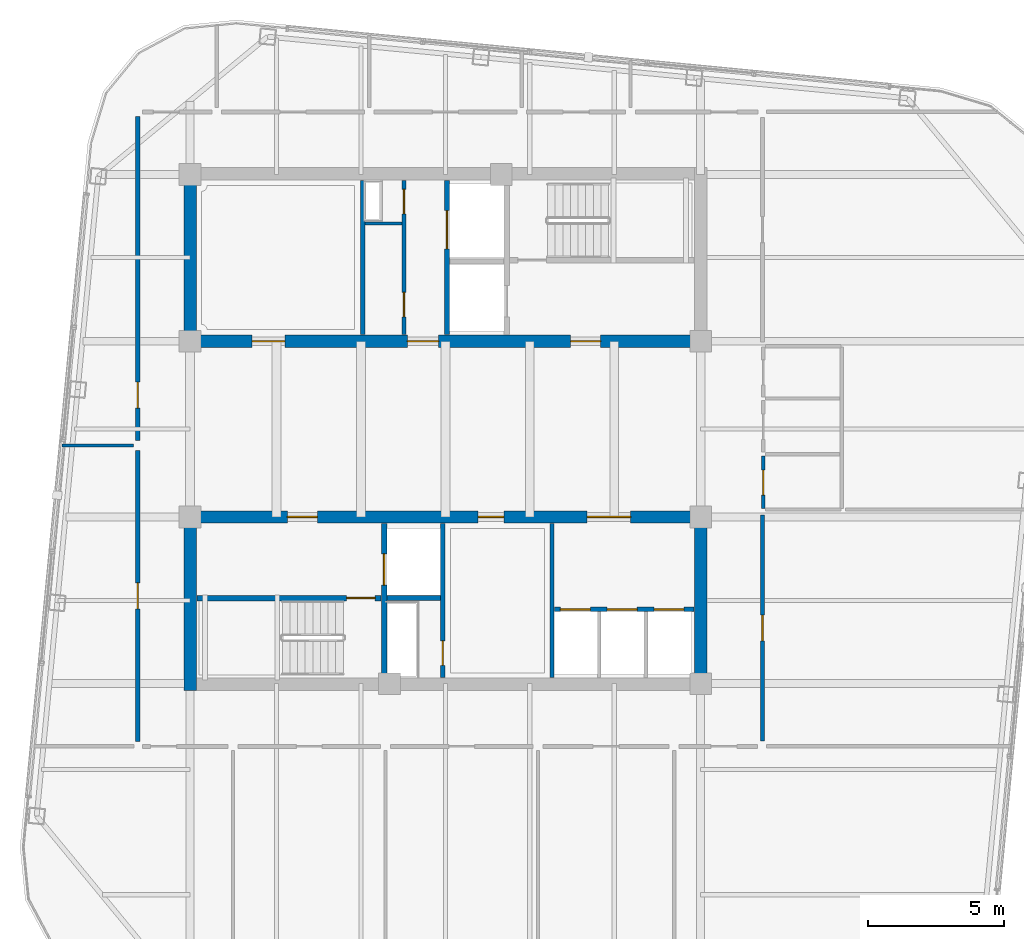
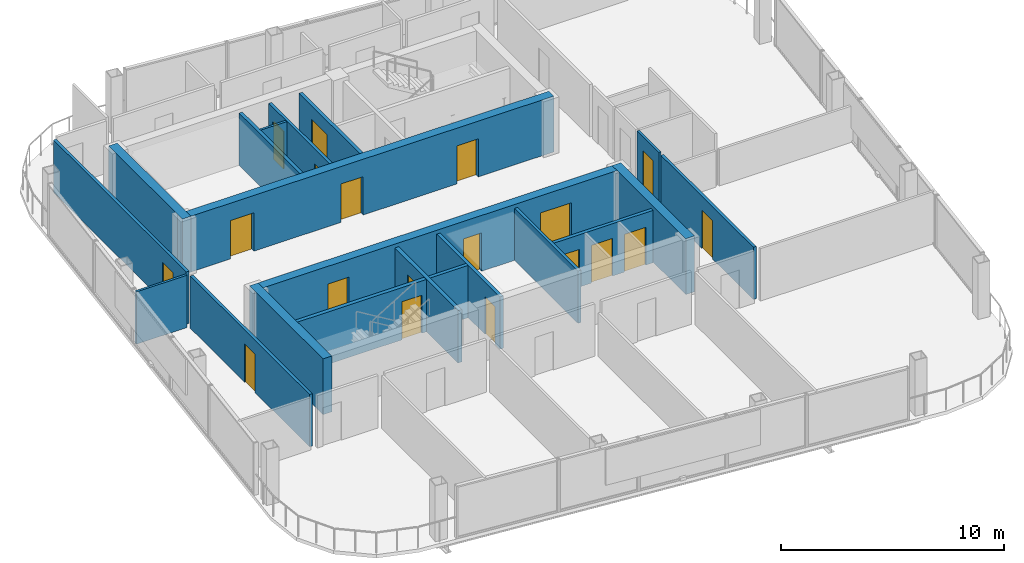
# One storey, part 17 of 22: 20 walls, 19 doors, 19 openings.
"""IFC4 building model written with IfcOpenShell, lengths in metres."""

from ifc_helpers import new_model, si_unit, direction, frame, frame_2d, origin, place, context, subcontext, project, spatial, rectangle, extrude, material, layer, layer_set, type_object, element, fill, save


model = new_model("IFC4")

# Units and contexts
model_context = context("Model", 3, precision=1e-05, world=origin(), true_north=direction((0.0, 1.0)))
body_context = subcontext(model_context, "Body", "Model", "MODEL_VIEW")
ifc_project = project(units=[si_unit("LENGTHUNIT", "METRE"), si_unit("AREAUNIT", "SQUARE_METRE"), si_unit("VOLUMEUNIT", "CUBIC_METRE"), si_unit("PLANEANGLEUNIT", "RADIAN"), si_unit("MASSUNIT", "GRAM", prefix="KILO")], contexts=[model_context])

# Site, building, storey
site_placement = place(None, origin())
site = spatial("IfcSite", under=ifc_project, at=site_placement, CompositionType="ELEMENT")
building_placement = place(site_placement, origin())
building = spatial("IfcBuilding", under=site, at=building_placement, Name="Qhalaya Broadcast Tower", CompositionType="ELEMENT")
storey_placement = place(building_placement, frame((0.0, 0.0, 252.0)))
storey = spatial("IfcBuildingStorey", under=building, at=storey_placement, Name="L74", CompositionType="ELEMENT", Elevation=252.0)

# Wall, openings, doors
ifc_material_1 = material(Name="Gypsum Acoustic Partition")
ifc_layer_1 = layer(ifc_material_1, 0.14990234375, Name="Gypsum Acoustic Partition")
ifc_layer_set_1 = layer_set([ifc_layer_1], Name="Gypsum Acoustic Partition")
wall_type_1 = type_object("IfcWallType", Name="Corridor & Tenancy Acoustic Partition 150", PredefinedType="PARTITIONING", material=ifc_layer_set_1)
wall_1_placement = place(storey_placement, frame((-1.52001953125, 4.070068359375, 0.0), z_axis=(0.0, 0.0, 1.0), x_axis=(0.0, 1.0, 0.0)))
wall_1 = element("IfcWall", 1, at=wall_1_placement, inside=storey, type_object=wall_type_1, Name="L74 Partition Wall NCW-SVL", PredefinedType="PARTITIONING", context=body_context, shape_type="SweptSolid", body=[
    extrude(rectangle(XDim=5.659912109375, YDim=0.14990234375, at=frame_2d((2.830078125, 0.0))), origin(), (0.0, 0.0, 1.0), 2.860107421875),
])
opening_1_placement = place(wall_1_placement, frame((4.429931640625, 0.0, 0.0)))
opening_1 = element("IfcOpeningElement", 2, at=opening_1_placement, cuts=wall_1, Name="Opening D06", PredefinedType="OPENING", context=body_context, shape_type="SweptSolid", body=[
    extrude(rectangle(XDim=0.89990234375, YDim=2.050048828125, at=frame_2d((0.449951171875, 1.02490234375))), frame((0.0, 0.0869140625, 0.0), z_axis=(0.0, -1.0, 0.0), x_axis=(1.0, 0.0, 0.0)), (0.0, 0.0, 1.0), 0.173828125),
])
opening_2_placement = place(wall_1_placement, frame((0.64990234375, 0.0, 0.0)))
opening_2 = element("IfcOpeningElement", 3, at=opening_2_placement, cuts=wall_1, Name="Opening D06", PredefinedType="OPENING", context=body_context, shape_type="SweptSolid", body=[
    extrude(rectangle(XDim=0.89990234375, YDim=2.050048828125, at=frame_2d((0.449951171875, 1.02490234375))), frame((0.0, 0.0869140625, 0.0), z_axis=(0.0, -1.0, 0.0), x_axis=(1.0, 0.0, 0.0)), (0.0, 0.0, 1.0), 0.173828125),
])
ifc_material_2 = material(Name="Fire-Rated Steel Door", Category="steel")
door_type_1 = type_object("IfcDoorType", Name="Riser & Electrical Shaft Access Door D06", OperationType="NOTDEFINED", PredefinedType="DOOR", material=ifc_material_2)
door_1_placement = place(opening_1_placement, origin())
door_1 = element("IfcDoor", 4, at=door_1_placement, inside=storey, type_object=door_type_1, Name="L74 Riser Shaft Access Door D-NRSR", OperationType="SINGLE_SWING_RIGHT", OverallHeight=2.050048828125, OverallWidth=0.89990234375, PredefinedType="DOOR", context=body_context, shape_type="SweptSolid", body=[
    extrude(rectangle(XDim=0.89990234375, YDim=2.050048828125, at=frame_2d((0.449951171875, 1.02490234375))), frame((0.0, 0.02490234375, 0.0), z_axis=(0.0, -1.0, 0.0), x_axis=(1.0, 0.0, 0.0)), (0.0, 0.0, 1.0), 0.050048828125),
])
fill(opening_1, door_1)
door_2_placement = place(opening_2_placement, origin())
door_2 = element("IfcDoor", 5, at=door_2_placement, inside=storey, type_object=door_type_1, Name="L74 Door D-NCST", OperationType="SINGLE_SWING_LEFT", OverallHeight=2.050048828125, OverallWidth=0.89990234375, PredefinedType="DOOR", context=body_context, shape_type="SweptSolid", body=[
    extrude(rectangle(XDim=0.89990234375, YDim=2.050048828125, at=frame_2d((0.449951171875, 1.02490234375))), frame((0.0, 0.02490234375, 0.0), z_axis=(0.0, -1.0, 0.0), x_axis=(1.0, 0.0, 0.0)), (0.0, 0.0, 1.0), 0.050048828125),
])
fill(opening_2, door_2)

# Wall
wall_2_placement = place(storey_placement, frame((3.919921875, -8.530029296875, 0.0), z_axis=(0.0, 0.0, 1.0), x_axis=(0.0, 1.0, 0.0)))
element("IfcWall", 6, at=wall_2_placement, inside=storey, type_object=wall_type_1, Name="L74 Partition Wall SCW-HSEP", PredefinedType="PARTITIONING", context=body_context, shape_type="SweptSolid", body=[
    extrude(rectangle(XDim=5.659912109375, YDim=0.14990234375, at=frame_2d((2.830078125, 0.0))), origin(), (0.0, 0.0, 1.0), 2.860107421875),
])

# Wall, opening, door
wall_3_placement = place(storey_placement, frame((-11.300048828125, -0.179931640625, 0.0), z_axis=(0.0, 0.0, 1.0), x_axis=(0.0, -1.0, 0.0)))
wall_3 = element("IfcWall", 7, at=wall_3_placement, inside=storey, type_object=wall_type_1, Name="L74 Partition Wall W-COR-11", PredefinedType="PARTITIONING", context=body_context, shape_type="SweptSolid", body=[
    extrude(rectangle(XDim=10.690185546875, YDim=0.14990234375, at=frame_2d((5.34521484375, 0.0))), origin(), (0.0, 0.0, 1.0), 2.860107421875),
])
opening_3_placement = place(wall_3_placement, frame((4.8701171875, 0.0, 0.0)))
opening_3 = element("IfcOpeningElement", 8, at=opening_3_placement, cuts=wall_3, Name="Opening D10", PredefinedType="OPENING", context=body_context, shape_type="SweptSolid", body=[
    extrude(rectangle(XDim=0.949951171875, YDim=2.10009765625, at=frame_2d((0.47509765625, 1.050048828125))), frame((0.0, 0.0869140625, 0.0), z_axis=(0.0, -1.0, 0.0), x_axis=(1.0, 0.0, 0.0)), (0.0, 0.0, 1.0), 0.173828125),
])
ifc_material_3 = material(Name="Timber Veneer Acoustic Door", Category="wood")
door_type_2 = type_object("IfcDoorType", Name="Cellular Office & Edit Booth Door D10", OperationType="NOTDEFINED", PredefinedType="DOOR", material=ifc_material_3)
door_3_placement = place(opening_3_placement, origin())
door_3 = element("IfcDoor", 9, at=door_3_placement, inside=storey, type_object=door_type_2, Name="L74 Door D-RM11", OperationType="SINGLE_SWING_RIGHT", OverallHeight=2.10009765625, OverallWidth=0.949951171875, PredefinedType="DOOR", context=body_context, shape_type="SweptSolid", body=[
    extrude(rectangle(XDim=0.949951171875, YDim=2.10009765625, at=frame_2d((0.47509765625, 1.050048828125))), frame((0.0, 0.02490234375, 0.0), z_axis=(0.0, -1.0, 0.0), x_axis=(1.0, 0.0, 0.0)), (0.0, 0.0, 1.0), 0.050048828125),
])
fill(opening_3, door_3)

wall_4_placement = place(storey_placement, frame((-11.300048828125, 12.070068359375, 0.0), z_axis=(0.0, 0.0, 1.0), x_axis=(0.0, -1.0, 0.0)))
wall_4 = element("IfcWall", 10, at=wall_4_placement, inside=storey, type_object=wall_type_1, Name="L74 Partition Wall W-COR-12", PredefinedType="PARTITIONING", context=body_context, shape_type="SweptSolid", body=[
    extrude(rectangle(XDim=11.89013671875, YDim=0.14990234375, at=frame_2d((5.945068359375, 0.0))), origin(), (0.0, 0.0, 1.0), 2.860107421875),
])
opening_4_placement = place(wall_4_placement, frame((9.75, 0.0, 0.0)))
opening_4 = element("IfcOpeningElement", 11, at=opening_4_placement, cuts=wall_4, Name="Opening D10", PredefinedType="OPENING", context=body_context, shape_type="SweptSolid", body=[
    extrude(rectangle(XDim=0.949951171875, YDim=2.10009765625, at=frame_2d((0.47509765625, 1.050048828125))), frame((0.0, 0.0869140625, 0.0), z_axis=(0.0, -1.0, 0.0), x_axis=(1.0, 0.0, 0.0)), (0.0, 0.0, 1.0), 0.173828125),
])
door_4_placement = place(opening_4_placement, origin())
door_4 = element("IfcDoor", 12, at=door_4_placement, inside=storey, type_object=door_type_2, Name="L74 Door D-RM12", OperationType="SINGLE_SWING_LEFT", OverallHeight=2.10009765625, OverallWidth=0.949951171875, PredefinedType="DOOR", context=body_context, shape_type="SweptSolid", body=[
    extrude(rectangle(XDim=0.949951171875, YDim=2.10009765625, at=frame_2d((0.47509765625, 1.050048828125))), frame((0.0, 0.02490234375, 0.0), z_axis=(0.0, -1.0, 0.0), x_axis=(1.0, 0.0, 0.0)), (0.0, 0.0, 1.0), 0.050048828125),
])
fill(opening_4, door_4)

wall_5_placement = place(storey_placement, frame((11.64990234375, -10.85009765625, 0.0), z_axis=(0.0, 0.0, 1.0), x_axis=(0.0, 1.0, 0.0)))
wall_5 = element("IfcWall", 13, at=wall_5_placement, inside=storey, type_object=wall_type_1, Name="L74 Partition Wall W-COR-13", PredefinedType="PARTITIONING", context=body_context, shape_type="SweptSolid", body=[
    extrude(rectangle(XDim=8.2900390625, YDim=0.14990234375, at=frame_2d((4.14501953125, 0.0))), origin(), (0.0, 0.0, 1.0), 2.860107421875),
])
opening_5_placement = place(wall_5_placement, frame((3.669921875, 0.0, 0.0)))
opening_5 = element("IfcOpeningElement", 14, at=opening_5_placement, cuts=wall_5, Name="Opening D10", PredefinedType="OPENING", context=body_context, shape_type="SweptSolid", body=[
    extrude(rectangle(XDim=0.949951171875, YDim=2.10009765625, at=frame_2d((0.47509765625, 1.050048828125))), frame((0.0, 0.0869140625, 0.0), z_axis=(0.0, -1.0, 0.0), x_axis=(1.0, 0.0, 0.0)), (0.0, 0.0, 1.0), 0.173828125),
])
door_5_placement = place(opening_5_placement, origin())
door_5 = element("IfcDoor", 15, at=door_5_placement, inside=storey, type_object=door_type_2, Name="L74 Door D-RM13", OperationType="SINGLE_SWING_RIGHT", OverallHeight=2.10009765625, OverallWidth=0.949951171875, PredefinedType="DOOR", context=body_context, shape_type="SweptSolid", body=[
    extrude(rectangle(XDim=0.949951171875, YDim=2.10009765625, at=frame_2d((0.47509765625, 1.050048828125))), frame((0.0, 0.02490234375, 0.0), z_axis=(0.0, -1.0, 0.0), x_axis=(1.0, 0.0, 0.0)), (0.0, 0.0, 1.0), 0.050048828125),
])
fill(opening_5, door_5)

ifc_material_4 = material(Name="Concrete C50/60", Category="concrete")
ifc_layer_2 = layer(ifc_material_4, 0.199951171875, Name="Concrete C50/60")
ifc_layer_set_2 = layer_set([ifc_layer_2], Name="Concrete C50/60")
wall_type_2 = type_object("IfcWallType", Name="Load-Bearing Stair Shaft Wall 200", PredefinedType="SHEAR", material=ifc_layer_set_2)
wall_6_placement = place(storey_placement, frame((-9.1298828125, -5.60498046875, 0.0), z_axis=(0.0, 0.0, 1.0), x_axis=(1.0, 0.0, 0.0)))
wall_6 = element("IfcWall", 16, at=wall_6_placement, inside=storey, type_object=wall_type_2, Name="L74 Stair Core Shear Wall SCW-ST2", PredefinedType="SHEAR", context=body_context, shape_type="SweptSolid", body=[
    extrude(rectangle(XDim=6.769775390625, YDim=0.199951171875, at=frame_2d((3.384765625, 0.0))), origin(), (0.0, 0.0, 1.0), 2.860107421875),
])
opening_6_placement = place(wall_6_placement, frame((5.5, 0.0, 0.0)))
opening_6 = element("IfcOpeningElement", 17, at=opening_6_placement, cuts=wall_6, Name="Opening D03", PredefinedType="OPENING", context=body_context, shape_type="SweptSolid", body=[
    extrude(rectangle(XDim=1.050048828125, YDim=2.080078125, at=frame_2d((0.52490234375, 1.0400390625))), frame((0.0, 0.112060546875, 0.0), z_axis=(0.0, -1.0, 0.0), x_axis=(1.0, 0.0, 0.0)), (0.0, 0.0, 1.0), 0.223876953125),
])
door_type_3 = type_object("IfcDoorType", Name="Core Stair Protected Fire Door D03", OperationType="NOTDEFINED", PredefinedType="DOOR", material=ifc_material_2)
door_6_placement = place(opening_6_placement, origin())
door_6 = element("IfcDoor", 18, at=door_6_placement, inside=storey, type_object=door_type_3, Name="L74 Door D-SST2", OperationType="SINGLE_SWING_RIGHT", OverallHeight=2.080078125, OverallWidth=1.050048828125, PredefinedType="DOOR", context=body_context, shape_type="SweptSolid", body=[
    extrude(rectangle(XDim=1.050048828125, YDim=2.080078125, at=frame_2d((0.52490234375, 1.0400390625))), frame((0.0, 0.02490234375, 0.0), z_axis=(0.0, -1.0, 0.0), x_axis=(1.0, 0.0, 0.0)), (0.0, 0.0, 1.0), 0.050048828125),
])
fill(opening_6, door_6)

wall_7_placement = place(storey_placement, frame((-2.25, -8.530029296875, 0.0), z_axis=(0.0, 0.0, 1.0), x_axis=(0.0, 1.0, 0.0)))
wall_7 = element("IfcWall", 19, at=wall_7_placement, inside=storey, type_object=wall_type_2, Name="L74 Stair Core Shear Wall SCW-FF", PredefinedType="SHEAR", context=body_context, shape_type="SweptSolid", body=[
    extrude(rectangle(XDim=5.659912109375, YDim=0.199951171875, at=frame_2d((2.830078125, 0.0))), origin(), (0.0, 0.0, 1.0), 2.860107421875),
])
opening_7_placement = place(wall_7_placement, frame((3.39990234375, 0.0, 0.0)))
opening_7 = element("IfcOpeningElement", 20, at=opening_7_placement, cuts=wall_7, Name="Opening LD2", PredefinedType="OPENING", context=body_context, shape_type="SweptSolid", body=[
    extrude(rectangle(XDim=1.14990234375, YDim=2.080078125, at=frame_2d((0.574951171875, 1.0400390625))), frame((0.0, 0.112060546875, 0.0), z_axis=(0.0, -1.0, 0.0), x_axis=(1.0, 0.0, 0.0)), (0.0, 0.0, 1.0), 0.223876953125),
])
ifc_material_5 = material(Name="Brushed Stainless Steel Lift Door", Category="steel")
door_type_4 = type_object("IfcDoorType", Name="Firefighting Lift Sliding Landing Door LD2", OperationType="DOUBLE_DOOR_SLIDING", PredefinedType="DOOR", material=ifc_material_5)
door_7_placement = place(opening_7_placement, origin())
door_7 = element("IfcDoor", 21, at=door_7_placement, inside=storey, type_object=door_type_4, Name="L74 Door LD-FF2", OperationType="DOUBLE_DOOR_SLIDING", OverallHeight=2.080078125, OverallWidth=1.14990234375, PredefinedType="DOOR", context=body_context, shape_type="SweptSolid", body=[
    extrude(rectangle(XDim=1.14990234375, YDim=2.080078125, at=frame_2d((0.574951171875, 1.0400390625))), frame((0.0, 0.02490234375, 0.0), z_axis=(0.0, -1.0, 0.0), x_axis=(1.0, 0.0, 0.0)), (0.0, 0.0, 1.0), 0.050048828125),
])
fill(opening_7, door_7)

# Wall
ifc_layer_3 = layer(ifc_material_1, 0.1201171875, Name="Gypsum Acoustic Partition")
ifc_layer_set_3 = layer_set([ifc_layer_3], Name="Gypsum Acoustic Partition")
wall_type_3 = type_object("IfcWallType", Name="Office, Booth & Sanitary Partition 120", PredefinedType="PARTITIONING", material=ifc_layer_set_3)
wall_8_placement = place(storey_placement, frame((-2.9599609375, 8.14990234375, 0.0), z_axis=(0.0, 0.0, 1.0), x_axis=(1.0, 0.0, 0.0)))
element("IfcWall", 22, at=wall_8_placement, inside=storey, type_object=wall_type_3, Name="L74 Partition Wall NCW-VA", PredefinedType="PARTITIONING", context=body_context, shape_type="SweptSolid", body=[
    extrude(rectangle(XDim=1.35986328125, YDim=0.1201171875, at=frame_2d((0.679931640625, 0.0))), origin(), (0.0, 0.0, 1.0), 2.860107421875),
])

# Wall, opening, door
wall_9_placement = place(storey_placement, frame((11.669921875, -2.320068359375, 0.0), z_axis=(0.0, 0.0, 1.0), x_axis=(0.0, 1.0, 0.0)))
wall_9 = element("IfcWall", 23, at=wall_9_placement, inside=storey, type_object=wall_type_3, Name="L74 Partition Wall W-WCWA", PredefinedType="PARTITIONING", context=body_context, shape_type="SweptSolid", body=[
    extrude(rectangle(XDim=1.940185546875, YDim=0.1201171875, at=frame_2d((0.97021484375, 0.0))), origin(), (0.0, 0.0, 1.0), 2.860107421875),
])
opening_8_placement = place(wall_9_placement, frame((0.4951171875, 0.0, 0.0)))
opening_8 = element("IfcOpeningElement", 24, at=opening_8_placement, cuts=wall_9, Name="Opening D12", PredefinedType="OPENING", context=body_context, shape_type="SweptSolid", body=[
    extrude(rectangle(XDim=0.919921875, YDim=2.10009765625, at=frame_2d((0.4599609375, 1.050048828125))), frame((0.0, 0.072021484375, 0.0), z_axis=(0.0, -1.0, 0.0), x_axis=(1.0, 0.0, 0.0)), (0.0, 0.0, 1.0), 0.14404296875),
])
door_type_5 = type_object("IfcDoorType", Name="Accessible WC & Restroom Door D12", OperationType="NOTDEFINED", PredefinedType="DOOR", material=ifc_material_3)
door_8_placement = place(opening_8_placement, origin())
door_8 = element("IfcDoor", 25, at=door_8_placement, inside=storey, type_object=door_type_5, Name="L74 Door D-WCA", OperationType="SINGLE_SWING_LEFT", OverallHeight=2.10009765625, OverallWidth=0.919921875, PredefinedType="DOOR", context=body_context, shape_type="SweptSolid", body=[
    extrude(rectangle(XDim=0.919921875, YDim=2.10009765625, at=frame_2d((0.4599609375, 1.050048828125))), frame((0.0, 0.02490234375, 0.0), z_axis=(0.0, -1.0, 0.0), x_axis=(1.0, 0.0, 0.0)), (0.0, 0.0, 1.0), 0.050048828125),
])
fill(opening_8, door_8)

# Wall
wall_10_placement = place(storey_placement, frame((-14.081787109375, 0.0, 0.0), z_axis=(0.0, 0.0, 1.0), x_axis=(1.0, 0.0, 0.0)))
element("IfcWall", 26, at=wall_10_placement, inside=storey, type_object=wall_type_3, Name="L74 Partition Wall W-DIVW1", PredefinedType="PARTITIONING", context=body_context, shape_type="SweptSolid", body=[
    extrude(rectangle(XDim=2.621826171875, YDim=0.1201171875, at=frame_2d((1.31103515625, 0.0))), origin(), (0.0, 0.0, 1.0), 2.860107421875),
])

# Wall, opening, door
ifc_layer_4 = layer(ifc_material_1, 0.175048828125, Name="Gypsum Acoustic Partition")
ifc_layer_set_4 = layer_set([ifc_layer_4], Name="Gypsum Acoustic Partition")
wall_type_4 = type_object("IfcWallType", Name="Shaft & Riser Fire Partition 175", PredefinedType="PARTITIONING", material=ifc_layer_set_4)
wall_11_placement = place(storey_placement, frame((0.06005859375, 4.070068359375, 0.0), z_axis=(0.0, 0.0, 1.0), x_axis=(0.0, 1.0, 0.0)))
wall_11 = element("IfcWall", 27, at=wall_11_placement, inside=storey, type_object=wall_type_4, Name="L74 Partition Wall NCW-SVW", PredefinedType="PARTITIONING", context=body_context, shape_type="SweptSolid", body=[
    extrude(rectangle(XDim=5.659912109375, YDim=0.175048828125, at=frame_2d((2.830078125, 0.0))), origin(), (0.0, 0.0, 1.0), 2.860107421875),
])
opening_9_placement = place(wall_11_placement, frame((3.14990234375, 0.0, 0.0)))
opening_9 = element("IfcOpeningElement", 28, at=opening_9_placement, cuts=wall_11, Name="Opening LD3", PredefinedType="OPENING", context=body_context, shape_type="SweptSolid", body=[
    extrude(rectangle(XDim=1.39990234375, YDim=2.1201171875, at=frame_2d((0.699951171875, 1.06005859375))), frame((0.0, 0.099609375, 0.0), z_axis=(0.0, -1.0, 0.0), x_axis=(1.0, 0.0, 0.0)), (0.0, 0.0, 1.0), 0.198974609375),
])
door_type_6 = type_object("IfcDoorType", Name="Service Lift Wide Sliding Landing Door LD3", OperationType="DOUBLE_DOOR_SLIDING", PredefinedType="DOOR", material=ifc_material_5)
door_9_placement = place(opening_9_placement, origin())
door_9 = element("IfcDoor", 29, at=door_9_placement, inside=storey, type_object=door_type_6, Name="L74 Door LD-SV1", OperationType="DOUBLE_DOOR_SLIDING", OverallHeight=2.1201171875, OverallWidth=1.39990234375, PredefinedType="DOOR", context=body_context, shape_type="SweptSolid", body=[
    extrude(rectangle(XDim=1.39990234375, YDim=2.1201171875, at=frame_2d((0.699951171875, 1.06005859375))), frame((0.0, 0.02490234375, 0.0), z_axis=(0.0, -1.0, 0.0), x_axis=(1.0, 0.0, 0.0)), (0.0, 0.0, 1.0), 0.050048828125),
])
fill(opening_9, door_9)

# Wall
wall_12_placement = place(storey_placement, frame((-3.0400390625, 4.070068359375, 0.0), z_axis=(0.0, 0.0, 1.0), x_axis=(0.0, 1.0, 0.0)))
element("IfcWall", 30, at=wall_12_placement, inside=storey, type_object=wall_type_4, Name="L74 Partition Wall NCW-VRW", PredefinedType="PARTITIONING", context=body_context, shape_type="SweptSolid", body=[
    extrude(rectangle(XDim=5.659912109375, YDim=0.175048828125, at=frame_2d((2.830078125, 0.0))), origin(), (0.0, 0.0, 1.0), 2.860107421875),
])

# Wall, opening, door
wall_13_placement = place(storey_placement, frame((-0.10009765625, -8.530029296875, 0.0), z_axis=(0.0, 0.0, 1.0), x_axis=(0.0, 1.0, 0.0)))
wall_13 = element("IfcWall", 31, at=wall_13_placement, inside=storey, type_object=wall_type_4, Name="L74 Partition Wall SCW-FFE", PredefinedType="PARTITIONING", context=body_context, shape_type="SweptSolid", body=[
    extrude(rectangle(XDim=5.659912109375, YDim=0.175048828125, at=frame_2d((2.830078125, 0.0))), origin(), (0.0, 0.0, 1.0), 2.860107421875),
])
opening_10_placement = place(wall_13_placement, frame((0.449951171875, 0.0, 0.0)))
opening_10 = element("IfcOpeningElement", 32, at=opening_10_placement, cuts=wall_13, Name="Opening D06", PredefinedType="OPENING", context=body_context, shape_type="SweptSolid", body=[
    extrude(rectangle(XDim=0.89990234375, YDim=2.050048828125, at=frame_2d((0.449951171875, 1.02490234375))), frame((0.0, 0.099609375, 0.0), z_axis=(0.0, -1.0, 0.0), x_axis=(1.0, 0.0, 0.0)), (0.0, 0.0, 1.0), 0.198974609375),
])
door_10_placement = place(opening_10_placement, origin())
door_10 = element("IfcDoor", 33, at=door_10_placement, inside=storey, type_object=door_type_1, Name="L74 Riser Shaft Access Door D-SRSR", OperationType="SINGLE_SWING_LEFT", OverallHeight=2.050048828125, OverallWidth=0.89990234375, PredefinedType="DOOR", context=body_context, shape_type="SweptSolid", body=[
    extrude(rectangle(XDim=0.89990234375, YDim=2.050048828125, at=frame_2d((0.449951171875, 1.02490234375))), frame((0.0, 0.02490234375, 0.0), z_axis=(0.0, -1.0, 0.0), x_axis=(1.0, 0.0, 0.0)), (0.0, 0.0, 1.0), 0.050048828125),
])
fill(opening_10, door_10)

# Wall
wall_14_placement = place(storey_placement, frame((-2.14990234375, -5.60009765625, 0.0), z_axis=(0.0, 0.0, 1.0), x_axis=(1.0, 0.0, 0.0)))
element("IfcWall", 34, at=wall_14_placement, inside=storey, type_object=wall_type_4, Name="L74 Partition Wall SCW-FFM", PredefinedType="PARTITIONING", context=body_context, shape_type="SweptSolid", body=[
    extrude(rectangle(XDim=1.969970703125, YDim=0.175048828125, at=frame_2d((0.98486328125, 0.0))), origin(), (0.0, 0.0, 1.0), 2.860107421875),
])

# Wall, openings, doors
wall_15_placement = place(storey_placement, frame((4.0, -6.02001953125, 0.0), z_axis=(0.0, 0.0, 1.0), x_axis=(1.0, 0.0, 0.0)))
wall_15 = element("IfcWall", 35, at=wall_15_placement, inside=storey, type_object=wall_type_4, Name="L74 Partition Wall SCW-SLB", PredefinedType="PARTITIONING", context=body_context, shape_type="SweptSolid", body=[
    extrude(rectangle(XDim=5.1298828125, YDim=0.175048828125, at=frame_2d((2.56494140625, 0.0))), origin(), (0.0, 0.0, 1.0), 2.860107421875),
])
opening_11_placement = place(wall_15_placement, frame((0.219970703125, 0.0, 0.0)))
opening_11 = element("IfcOpeningElement", 36, at=opening_11_placement, cuts=wall_15, Name="Opening LD1", PredefinedType="OPENING", context=body_context, shape_type="SweptSolid", body=[
    extrude(rectangle(XDim=1.10009765625, YDim=2.06005859375, at=frame_2d((0.550048828125, 1.030029296875))), frame((0.0, 0.099609375, 0.0), z_axis=(0.0, -1.0, 0.0), x_axis=(1.0, 0.0, 0.0)), (0.0, 0.0, 1.0), 0.198974609375),
])
opening_12_placement = place(wall_15_placement, frame((1.93994140625, 0.0, 0.0)))
opening_12 = element("IfcOpeningElement", 37, at=opening_12_placement, cuts=wall_15, Name="Opening LD1", PredefinedType="OPENING", context=body_context, shape_type="SweptSolid", body=[
    extrude(rectangle(XDim=1.10009765625, YDim=2.06005859375, at=frame_2d((0.550048828125, 1.030029296875))), frame((0.0, 0.099609375, 0.0), z_axis=(0.0, -1.0, 0.0), x_axis=(1.0, 0.0, 0.0)), (0.0, 0.0, 1.0), 0.198974609375),
])
opening_13_placement = place(wall_15_placement, frame((3.659912109375, 0.0, 0.0)))
opening_13 = element("IfcOpeningElement", 38, at=opening_13_placement, cuts=wall_15, Name="Opening LD1", PredefinedType="OPENING", context=body_context, shape_type="SweptSolid", body=[
    extrude(rectangle(XDim=1.10009765625, YDim=2.06005859375, at=frame_2d((0.550048828125, 1.030029296875))), frame((0.0, 0.099609375, 0.0), z_axis=(0.0, -1.0, 0.0), x_axis=(1.0, 0.0, 0.0)), (0.0, 0.0, 1.0), 0.198974609375),
])
door_type_7 = type_object("IfcDoorType", Name="Passenger Lift Sliding Landing Door LD1", OperationType="DOUBLE_DOOR_SLIDING", PredefinedType="DOOR", material=ifc_material_5)
door_11_placement = place(opening_11_placement, origin())
door_11 = element("IfcDoor", 39, at=door_11_placement, inside=storey, type_object=door_type_7, Name="L74 Door LD-P6", OperationType="DOUBLE_DOOR_SLIDING", OverallHeight=2.06005859375, OverallWidth=1.10009765625, PredefinedType="DOOR", context=body_context, shape_type="SweptSolid", body=[
    extrude(rectangle(XDim=1.10009765625, YDim=2.06005859375, at=frame_2d((0.550048828125, 1.030029296875))), frame((0.0, 0.02490234375, 0.0), z_axis=(0.0, -1.0, 0.0), x_axis=(1.0, 0.0, 0.0)), (0.0, 0.0, 1.0), 0.050048828125),
])
fill(opening_11, door_11)
door_12_placement = place(opening_12_placement, origin())
door_12 = element("IfcDoor", 40, at=door_12_placement, inside=storey, type_object=door_type_7, Name="L74 Door LD-P7", OperationType="DOUBLE_DOOR_SLIDING", OverallHeight=2.06005859375, OverallWidth=1.10009765625, PredefinedType="DOOR", context=body_context, shape_type="SweptSolid", body=[
    extrude(rectangle(XDim=1.10009765625, YDim=2.06005859375, at=frame_2d((0.550048828125, 1.030029296875))), frame((0.0, 0.02490234375, 0.0), z_axis=(0.0, -1.0, 0.0), x_axis=(1.0, 0.0, 0.0)), (0.0, 0.0, 1.0), 0.050048828125),
])
fill(opening_12, door_12)
door_13_placement = place(opening_13_placement, origin())
door_13 = element("IfcDoor", 41, at=door_13_placement, inside=storey, type_object=door_type_7, Name="L74 Door LD-P8", OperationType="DOUBLE_DOOR_SLIDING", OverallHeight=2.06005859375, OverallWidth=1.10009765625, PredefinedType="DOOR", context=body_context, shape_type="SweptSolid", body=[
    extrude(rectangle(XDim=1.10009765625, YDim=2.06005859375, at=frame_2d((0.550048828125, 1.030029296875))), frame((0.0, 0.02490234375, 0.0), z_axis=(0.0, -1.0, 0.0), x_axis=(1.0, 0.0, 0.0)), (0.0, 0.0, 1.0), 0.050048828125),
])
fill(opening_13, door_13)

ifc_layer_5 = layer(ifc_material_4, 0.449951171875, Name="Concrete C50/60")
ifc_layer_set_5 = layer_set([ifc_layer_5], Name="Concrete C50/60")
wall_type_5 = type_object("IfcWallType", Name="Upper Split-Core Shear Wall 450", PredefinedType="SHEAR", material=ifc_layer_set_5)
wall_16_placement = place(storey_placement, frame((-9.60009765625, 3.824951171875, 0.0), z_axis=(0.0, 0.0, 1.0), x_axis=(1.0, 0.0, 0.0)))
wall_16 = element("IfcWall", 42, at=wall_16_placement, inside=storey, type_object=wall_type_5, Name="L74 Split-Core Shear Wall CW-NS", PredefinedType="SHEAR", context=body_context, shape_type="SweptSolid", body=[
    extrude(rectangle(XDim=19.2001953125, YDim=0.449951171875, at=frame_2d((9.60009765625, 0.0))), origin(), (0.0, 0.0, 1.0), 3.050048828125),
])
opening_14_placement = place(wall_16_placement, frame((14.199951171875, 0.0, 0.0)))
opening_14 = element("IfcOpeningElement", 43, at=opening_14_placement, cuts=wall_16, Name="Opening D04", PredefinedType="OPENING", context=body_context, shape_type="SweptSolid", body=[
    extrude(rectangle(XDim=1.10009765625, YDim=2.080078125, at=frame_2d((0.550048828125, 1.0400390625))), frame((0.0, 0.237060546875, 0.0), z_axis=(0.0, -1.0, 0.0), x_axis=(1.0, 0.0, 0.0)), (0.0, 0.0, 1.0), 0.473876953125),
])
opening_15_placement = place(wall_16_placement, frame((8.199951171875, 0.0, 0.0)))
opening_15 = element("IfcOpeningElement", 44, at=opening_15_placement, cuts=wall_16, Name="Opening D05", PredefinedType="OPENING", context=body_context, shape_type="SweptSolid", body=[
    extrude(rectangle(XDim=1.14990234375, YDim=2.10009765625, at=frame_2d((0.574951171875, 1.050048828125))), frame((0.0, 0.237060546875, 0.0), z_axis=(0.0, -1.0, 0.0), x_axis=(1.0, 0.0, 0.0)), (0.0, 0.0, 1.0), 0.473876953125),
])
opening_16_placement = place(wall_16_placement, frame((2.5, 0.0, 0.0)))
opening_16 = element("IfcOpeningElement", 45, at=opening_16_placement, cuts=wall_16, Name="Opening D11", PredefinedType="OPENING", context=body_context, shape_type="SweptSolid", body=[
    extrude(rectangle(XDim=1.199951171875, YDim=2.10009765625, at=frame_2d((0.60009765625, 1.050048828125))), frame((0.0, 0.237060546875, 0.0), z_axis=(0.0, -1.0, 0.0), x_axis=(1.0, 0.0, 0.0)), (0.0, 0.0, 1.0), 0.473876953125),
])
ifc_material_6 = material(Name="Anodised Aluminium Glazed Door", Category="aluminium")
door_type_8 = type_object("IfcDoorType", Name="Conference, Boardroom & Studio Control Door D11", OperationType="NOTDEFINED", PredefinedType="DOOR", material=ifc_material_6)
door_14_placement = place(opening_16_placement, origin())
door_14 = element("IfcDoor", 46, at=door_14_placement, inside=storey, type_object=door_type_8, Name="L74 Door D-NREC1", OperationType="SINGLE_SWING_LEFT", OverallHeight=2.10009765625, OverallWidth=1.199951171875, PredefinedType="DOOR", context=body_context, shape_type="SweptSolid", body=[
    extrude(rectangle(XDim=1.199951171875, YDim=2.10009765625, at=frame_2d((0.60009765625, 1.050048828125))), frame((0.0, 0.02490234375, 0.0), z_axis=(0.0, -1.0, 0.0), x_axis=(1.0, 0.0, 0.0)), (0.0, 0.0, 1.0), 0.050048828125),
])
fill(opening_16, door_14)
door_type_9 = type_object("IfcDoorType", Name="Firefighting Lobby Rated Door D04", OperationType="NOTDEFINED", PredefinedType="DOOR", material=ifc_material_2)
door_15_placement = place(opening_14_placement, origin())
door_15 = element("IfcDoor", 47, at=door_15_placement, inside=storey, type_object=door_type_9, Name="L74 Door D-NFF", OperationType="SINGLE_SWING_RIGHT", OverallHeight=2.080078125, OverallWidth=1.10009765625, PredefinedType="DOOR", context=body_context, shape_type="SweptSolid", body=[
    extrude(rectangle(XDim=1.10009765625, YDim=2.080078125, at=frame_2d((0.550048828125, 1.0400390625))), frame((0.0, 0.02490234375, 0.0), z_axis=(0.0, -1.0, 0.0), x_axis=(1.0, 0.0, 0.0)), (0.0, 0.0, 1.0), 0.050048828125),
])
fill(opening_14, door_15)
door_type_10 = type_object("IfcDoorType", Name="Refuge & Plant Room Fire Door D05", OperationType="NOTDEFINED", PredefinedType="DOOR", material=ifc_material_2)
door_16_placement = place(opening_15_placement, origin())
door_16 = element("IfcDoor", 48, at=door_16_placement, inside=storey, type_object=door_type_10, Name="L74 Door D-NSVL", OperationType="SINGLE_SWING_LEFT", OverallHeight=2.10009765625, OverallWidth=1.14990234375, PredefinedType="DOOR", context=body_context, shape_type="SweptSolid", body=[
    extrude(rectangle(XDim=1.14990234375, YDim=2.10009765625, at=frame_2d((0.574951171875, 1.050048828125))), frame((0.0, 0.02490234375, 0.0), z_axis=(0.0, -1.0, 0.0), x_axis=(1.0, 0.0, 0.0)), (0.0, 0.0, 1.0), 0.050048828125),
])
fill(opening_15, door_16)

# Wall
wall_17_placement = place(storey_placement, frame((-9.375, 3.60009765625, 0.0), z_axis=(0.0, 0.0, 1.0), x_axis=(0.0, 1.0, 0.0)))
element("IfcWall", 49, at=wall_17_placement, inside=storey, type_object=wall_type_5, Name="L74 Split-Core Shear Wall CW-NW", PredefinedType="SHEAR", context=body_context, shape_type="SweptSolid", body=[
    extrude(rectangle(XDim=6.599853515625, YDim=0.449951171875, at=frame_2d((3.2998046875, 0.0))), origin(), (0.0, 0.0, 1.0), 3.050048828125),
])

# Wall, openings, doors
wall_18_placement = place(storey_placement, frame((-9.60009765625, -2.625, 0.0), z_axis=(0.0, 0.0, 1.0), x_axis=(1.0, 0.0, 0.0)))
wall_18 = element("IfcWall", 50, at=wall_18_placement, inside=storey, type_object=wall_type_5, Name="L74 Split-Core Shear Wall CW-SN", PredefinedType="SHEAR", context=body_context, shape_type="SweptSolid", body=[
    extrude(rectangle(XDim=19.2001953125, YDim=0.449951171875, at=frame_2d((9.60009765625, 0.0))), origin(), (0.0, 0.0, 1.0), 3.050048828125),
])
opening_17_placement = place(wall_18_placement, frame((3.800048828125, 0.0, 0.0)))
opening_17 = element("IfcOpeningElement", 51, at=opening_17_placement, cuts=wall_18, Name="Opening D04", PredefinedType="OPENING", context=body_context, shape_type="SweptSolid", body=[
    extrude(rectangle(XDim=1.10009765625, YDim=2.080078125, at=frame_2d((0.550048828125, 1.0400390625))), frame((0.0, 0.237060546875, 0.0), z_axis=(0.0, -1.0, 0.0), x_axis=(1.0, 0.0, 0.0)), (0.0, 0.0, 1.0), 0.473876953125),
])
opening_18_placement = place(wall_18_placement, frame((10.800048828125, 0.0, 0.0)))
opening_18 = element("IfcOpeningElement", 52, at=opening_18_placement, cuts=wall_18, Name="Opening D10", PredefinedType="OPENING", context=body_context, shape_type="SweptSolid", body=[
    extrude(rectangle(XDim=0.949951171875, YDim=2.10009765625, at=frame_2d((0.47509765625, 1.050048828125))), frame((0.0, 0.237060546875, 0.0), z_axis=(0.0, -1.0, 0.0), x_axis=(1.0, 0.0, 0.0)), (0.0, 0.0, 1.0), 0.473876953125),
])
opening_19_placement = place(wall_18_placement, frame((14.800048828125, 0.0, 0.0)))
opening_19 = element("IfcOpeningElement", 53, at=opening_19_placement, cuts=wall_18, Name="Opening D07", PredefinedType="OPENING", context=body_context, shape_type="SweptSolid", body=[
    extrude(rectangle(XDim=1.60009765625, YDim=2.1201171875, at=frame_2d((0.800048828125, 1.06005859375))), frame((0.0, 0.237060546875, 0.0), z_axis=(0.0, -1.0, 0.0), x_axis=(1.0, 0.0, 0.0)), (0.0, 0.0, 1.0), 0.473876953125),
])
door_17_placement = place(opening_18_placement, origin())
door_17 = element("IfcDoor", 54, at=door_17_placement, inside=storey, type_object=door_type_2, Name="L74 Door D-SREC", OperationType="SINGLE_SWING_LEFT", OverallHeight=2.10009765625, OverallWidth=0.949951171875, PredefinedType="DOOR", context=body_context, shape_type="SweptSolid", body=[
    extrude(rectangle(XDim=0.949951171875, YDim=2.10009765625, at=frame_2d((0.47509765625, 1.050048828125))), frame((0.0, 0.02490234375, 0.0), z_axis=(0.0, -1.0, 0.0), x_axis=(1.0, 0.0, 0.0)), (0.0, 0.0, 1.0), 0.050048828125),
])
fill(opening_18, door_17)
door_18_placement = place(opening_17_placement, origin())
door_18 = element("IfcDoor", 55, at=door_18_placement, inside=storey, type_object=door_type_9, Name="L74 Door D-SFF", OperationType="SINGLE_SWING_LEFT", OverallHeight=2.080078125, OverallWidth=1.10009765625, PredefinedType="DOOR", context=body_context, shape_type="SweptSolid", body=[
    extrude(rectangle(XDim=1.10009765625, YDim=2.080078125, at=frame_2d((0.550048828125, 1.0400390625))), frame((0.0, 0.02490234375, 0.0), z_axis=(0.0, -1.0, 0.0), x_axis=(1.0, 0.0, 0.0)), (0.0, 0.0, 1.0), 0.050048828125),
])
fill(opening_17, door_18)
door_type_11 = type_object("IfcDoorType", Name="Passenger Lift Lobby Double Glazed Door D07", OperationType="DOUBLE_DOOR_SINGLE_SWING", PredefinedType="DOOR", material=ifc_material_6)
door_19_placement = place(opening_19_placement, origin())
door_19 = element("IfcDoor", 56, at=door_19_placement, inside=storey, type_object=door_type_11, Name="L74 Door D-SPLL", OperationType="DOUBLE_DOOR_SINGLE_SWING", OverallHeight=2.1201171875, OverallWidth=1.60009765625, PredefinedType="DOOR", context=body_context, shape_type="SweptSolid", body=[
    extrude(rectangle(XDim=1.60009765625, YDim=2.1201171875, at=frame_2d((0.800048828125, 1.06005859375))), frame((0.0, 0.02490234375, 0.0), z_axis=(0.0, -1.0, 0.0), x_axis=(1.0, 0.0, 0.0)), (0.0, 0.0, 1.0), 0.050048828125),
])
fill(opening_19, door_19)

# Walls
for number, where, z_axis, x_axis, name in (
    (57, (-9.375, -9.0, 0.0), (0.0, 0.0, 1.0), (0.0, 1.0, 0.0), "L74 Split-Core Shear Wall CW-SW"),
    (58, (9.375, -9.0, 0.0), (0.0, 0.0, 1.0), (0.0, 1.0, 0.0), "L74 Split-Core Shear Wall CW-SE"),
):
    element("IfcWall", number, at=place(storey_placement, frame(where, z_axis=z_axis, x_axis=x_axis)), inside=storey, type_object=wall_type_5, Name=name, PredefinedType="SHEAR", context=body_context, shape_type="SweptSolid", body=[
        extrude(rectangle(XDim=6.60009765625, YDim=0.449951171875, at=frame_2d((3.300048828125, 0.0))), origin(), (0.0, 0.0, 1.0), 3.050048828125),
    ])

save(model, "model.ifc")
